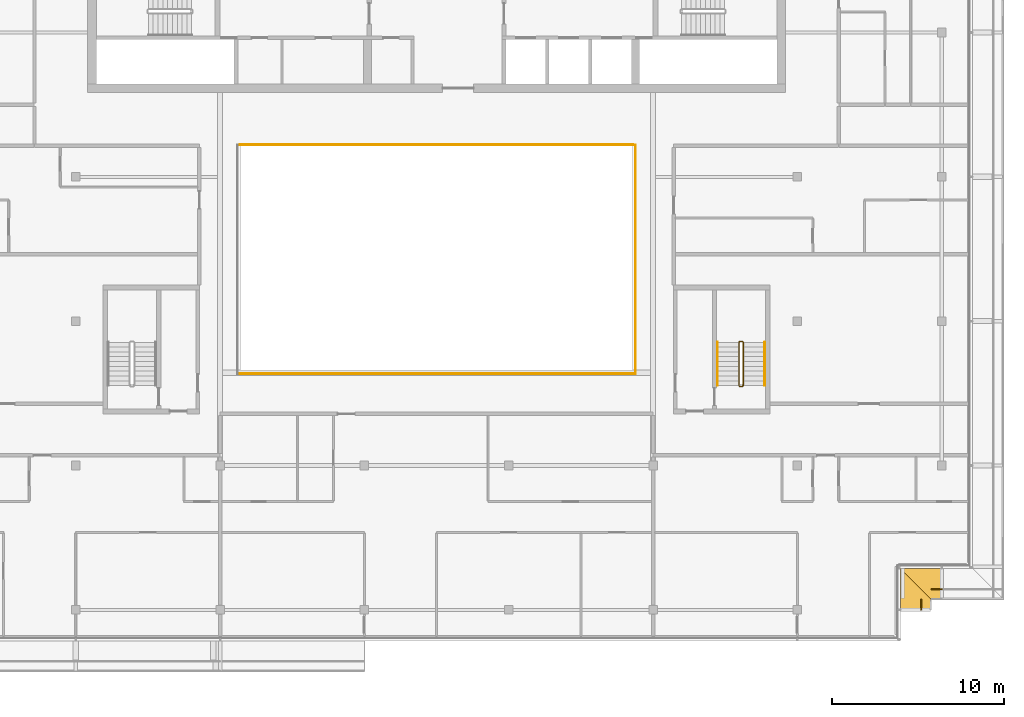
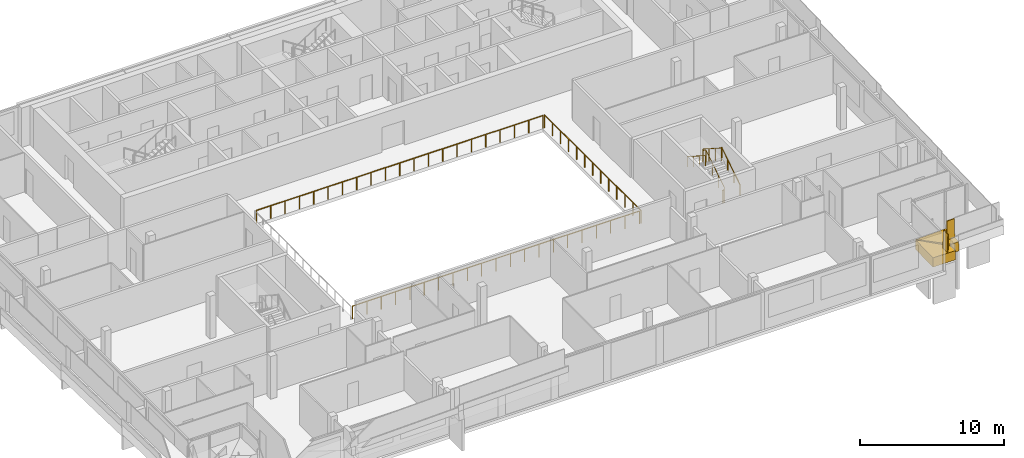
# One storey, part 23 of 27: 8 railings, 2 coverings.
"""IFC4 building model written with IfcOpenShell, lengths in metres."""

from ifc_helpers import new_model, si_unit, direction, frame, origin, origin_2d, place, context, subcontext, project, spatial, polyline, rectangle, circle, outline, extrude, material, layer, layer_set, type_object, element, save


model = new_model("IFC4")

# Units and contexts
model_context = context("Model", 3, precision=1e-05, world=origin(), true_north=direction((0.0, 1.0)))
body_context = subcontext(model_context, "Body", "Model", "MODEL_VIEW")
ifc_project = project(units=[si_unit("LENGTHUNIT", "METRE"), si_unit("AREAUNIT", "SQUARE_METRE"), si_unit("VOLUMEUNIT", "CUBIC_METRE"), si_unit("PLANEANGLEUNIT", "RADIAN"), si_unit("MASSUNIT", "GRAM", prefix="KILO")], contexts=[model_context])

# Site, building, storey
site_placement = place(None, origin())
site = spatial("IfcSite", under=ifc_project, at=site_placement, CompositionType="ELEMENT")
building_placement = place(site_placement, origin())
building = spatial("IfcBuilding", under=site, at=building_placement, Name="Saffron Gate Tower", CompositionType="ELEMENT")
storey_placement = place(building_placement, frame((0.0, 0.0, 274.35009765625)))
storey = spatial("IfcBuildingStorey", under=building, at=storey_placement, Name="L66", CompositionType="ELEMENT", Elevation=274.35009765625)

# Railings
ifc_material_1 = material(Name="Stainless steel and laminated glass", Category="steel")
railing_type_1 = type_object("IfcRailingType", Name="AG1 Atrium edge guard 1100", PredefinedType="GUARDRAIL", material=ifc_material_1)
railing_1_placement = place(storey_placement, frame((76.139892578125, 58.860107421875, 0.0)))
element("IfcRailing", 1, at=railing_1_placement, inside=storey, type_object=railing_type_1, Name="Guard E3-2", PredefinedType="GUARDRAIL", context=body_context, shape_type="SweptSolid", body=[
    extrude(circle(Radius=0.02392578125, at=origin_2d()), frame((0.0, 0.0, 1.076171875), z_axis=(1.0, 0.0, 0.0), x_axis=(0.0, 1.0, 0.0)), (0.0, 0.0, 1.0), 22.920166015625),
    extrude(circle(Radius=0.02099609375, at=origin_2d()), origin(), (0.0, 0.0, 1.0), 1.052001953125),
    extrude(circle(Radius=0.02099609375, at=origin_2d()), frame((1.14599609375, 0.0, 0.0)), (0.0, 0.0, 1.0), 1.052001953125),
    extrude(circle(Radius=0.02099609375, at=origin_2d()), frame((2.2919921875, 0.0, 0.0)), (0.0, 0.0, 1.0), 1.052001953125),
    extrude(circle(Radius=0.02099609375, at=origin_2d()), frame((3.43798828125, 0.0, 0.0)), (0.0, 0.0, 1.0), 1.052001953125),
    extrude(circle(Radius=0.02099609375, at=origin_2d()), frame((4.583984375, 0.0, 0.0)), (0.0, 0.0, 1.0), 1.052001953125),
    extrude(circle(Radius=0.02099609375, at=origin_2d()), frame((5.72998046875, 0.0, 0.0)), (0.0, 0.0, 1.0), 1.052001953125),
    extrude(circle(Radius=0.02099609375, at=origin_2d()), frame((6.8759765625, 0.0, 0.0)), (0.0, 0.0, 1.0), 1.052001953125),
    extrude(circle(Radius=0.02099609375, at=origin_2d()), frame((8.02197265625, 0.0, 0.0)), (0.0, 0.0, 1.0), 1.052001953125),
    extrude(circle(Radius=0.02099609375, at=origin_2d()), frame((9.16796875, 0.0, 0.0)), (0.0, 0.0, 1.0), 1.052001953125),
    extrude(circle(Radius=0.02099609375, at=origin_2d()), frame((10.31396484375, 0.0, 0.0)), (0.0, 0.0, 1.0), 1.052001953125),
    extrude(circle(Radius=0.02099609375, at=origin_2d()), frame((11.4599609375, 0.0, 0.0)), (0.0, 0.0, 1.0), 1.052001953125),
    extrude(circle(Radius=0.02099609375, at=origin_2d()), frame((12.606201171875, 0.0, 0.0)), (0.0, 0.0, 1.0), 1.052001953125),
    extrude(circle(Radius=0.02099609375, at=origin_2d()), frame((13.752197265625, 0.0, 0.0)), (0.0, 0.0, 1.0), 1.052001953125),
    extrude(circle(Radius=0.02099609375, at=origin_2d()), frame((14.898193359375, 0.0, 0.0)), (0.0, 0.0, 1.0), 1.052001953125),
    extrude(circle(Radius=0.02099609375, at=origin_2d()), frame((16.044189453125, 0.0, 0.0)), (0.0, 0.0, 1.0), 1.052001953125),
    extrude(circle(Radius=0.02099609375, at=origin_2d()), frame((17.190185546875, 0.0, 0.0)), (0.0, 0.0, 1.0), 1.052001953125),
    extrude(circle(Radius=0.02099609375, at=origin_2d()), frame((18.336181640625, 0.0, 0.0)), (0.0, 0.0, 1.0), 1.052001953125),
    extrude(circle(Radius=0.02099609375, at=origin_2d()), frame((19.482177734375, 0.0, 0.0)), (0.0, 0.0, 1.0), 1.052001953125),
    extrude(circle(Radius=0.02099609375, at=origin_2d()), frame((20.628173828125, 0.0, 0.0)), (0.0, 0.0, 1.0), 1.052001953125),
    extrude(circle(Radius=0.02099609375, at=origin_2d()), frame((21.774169921875, 0.0, 0.0)), (0.0, 0.0, 1.0), 1.052001953125),
    extrude(circle(Radius=0.02099609375, at=origin_2d()), frame((22.920166015625, 0.0, 0.0)), (0.0, 0.0, 1.0), 1.052001953125),
])
railing_2_placement = place(storey_placement, frame((99.179931640625, 58.860107421875, 0.0)))
element("IfcRailing", 2, at=railing_2_placement, inside=storey, type_object=railing_type_1, Name="Guard E3-3", PredefinedType="GUARDRAIL", context=body_context, shape_type="SweptSolid", body=[
    extrude(circle(Radius=0.02392578125, at=origin_2d()), frame((0.0, 0.0, 1.076171875), z_axis=(0.0, -1.0, 0.0), x_axis=(1.0, 0.0, 0.0)), (0.0, 0.0, 1.0), 13.320068359375),
    extrude(circle(Radius=0.02099609375, at=origin_2d()), origin(), (0.0, 0.0, 1.0), 1.052001953125),
    extrude(circle(Radius=0.02099609375, at=origin_2d()), frame((0.0, -1.110107421875, 0.0)), (0.0, 0.0, 1.0), 1.052001953125),
    extrude(circle(Radius=0.02099609375, at=origin_2d()), frame((0.0, -2.219970703125, 0.0)), (0.0, 0.0, 1.0), 1.052001953125),
    extrude(circle(Radius=0.02099609375, at=origin_2d()), frame((0.0, -3.330078125, 0.0)), (0.0, 0.0, 1.0), 1.052001953125),
    extrude(circle(Radius=0.02099609375, at=origin_2d()), frame((0.0, -4.43994140625, 0.0)), (0.0, 0.0, 1.0), 1.052001953125),
    extrude(circle(Radius=0.02099609375, at=origin_2d()), frame((0.0, -5.550048828125, 0.0)), (0.0, 0.0, 1.0), 1.052001953125),
    extrude(circle(Radius=0.02099609375, at=origin_2d()), frame((0.0, -6.66015625, 0.0)), (0.0, 0.0, 1.0), 1.052001953125),
    extrude(circle(Radius=0.02099609375, at=origin_2d()), frame((0.0, -7.77001953125, 0.0)), (0.0, 0.0, 1.0), 1.052001953125),
    extrude(circle(Radius=0.02099609375, at=origin_2d()), frame((0.0, -8.880126953125, 0.0)), (0.0, 0.0, 1.0), 1.052001953125),
    extrude(circle(Radius=0.02099609375, at=origin_2d()), frame((0.0, -9.989990234375, 0.0)), (0.0, 0.0, 1.0), 1.052001953125),
    extrude(circle(Radius=0.02099609375, at=origin_2d()), frame((0.0, -11.10009765625, 0.0)), (0.0, 0.0, 1.0), 1.052001953125),
    extrude(circle(Radius=0.02099609375, at=origin_2d()), frame((0.0, -12.2099609375, 0.0)), (0.0, 0.0, 1.0), 1.052001953125),
    extrude(circle(Radius=0.02099609375, at=origin_2d()), frame((0.0, -13.320068359375, 0.0)), (0.0, 0.0, 1.0), 1.052001953125),
])
railing_3_placement = place(storey_placement, frame((99.06005859375, 45.5400390625, 0.0)))
element("IfcRailing", 3, at=railing_3_placement, inside=storey, type_object=railing_type_1, Name="Guard E3-4", PredefinedType="GUARDRAIL", context=body_context, shape_type="SweptSolid", body=[
    extrude(circle(Radius=0.02392578125, at=origin_2d()), frame((0.0, 0.0, 1.076171875), z_axis=(-1.0, 0.0, 0.0), x_axis=(0.0, -1.0, 0.0)), (0.0, 0.0, 1.0), 22.920166015625),
    extrude(circle(Radius=0.02099609375, at=origin_2d()), origin(), (0.0, 0.0, 1.0), 1.052001953125),
    extrude(circle(Radius=0.02099609375, at=origin_2d()), frame((-1.14599609375, 0.0, 0.0)), (0.0, 0.0, 1.0), 1.052001953125),
    extrude(circle(Radius=0.02099609375, at=origin_2d()), frame((-2.2919921875, 0.0, 0.0)), (0.0, 0.0, 1.0), 1.052001953125),
    extrude(circle(Radius=0.02099609375, at=origin_2d()), frame((-3.43798828125, 0.0, 0.0)), (0.0, 0.0, 1.0), 1.052001953125),
    extrude(circle(Radius=0.02099609375, at=origin_2d()), frame((-4.583984375, 0.0, 0.0)), (0.0, 0.0, 1.0), 1.052001953125),
    extrude(circle(Radius=0.02099609375, at=origin_2d()), frame((-5.72998046875, 0.0, 0.0)), (0.0, 0.0, 1.0), 1.052001953125),
    extrude(circle(Radius=0.02099609375, at=origin_2d()), frame((-6.8759765625, 0.0, 0.0)), (0.0, 0.0, 1.0), 1.052001953125),
    extrude(circle(Radius=0.02099609375, at=origin_2d()), frame((-8.02197265625, 0.0, 0.0)), (0.0, 0.0, 1.0), 1.052001953125),
    extrude(circle(Radius=0.02099609375, at=origin_2d()), frame((-9.16796875, 0.0, 0.0)), (0.0, 0.0, 1.0), 1.052001953125),
    extrude(circle(Radius=0.02099609375, at=origin_2d()), frame((-10.31396484375, 0.0, 0.0)), (0.0, 0.0, 1.0), 1.052001953125),
    extrude(circle(Radius=0.02099609375, at=origin_2d()), frame((-11.4599609375, 0.0, 0.0)), (0.0, 0.0, 1.0), 1.052001953125),
    extrude(circle(Radius=0.02099609375, at=origin_2d()), frame((-12.606201171875, 0.0, 0.0)), (0.0, 0.0, 1.0), 1.052001953125),
    extrude(circle(Radius=0.02099609375, at=origin_2d()), frame((-13.752197265625, 0.0, 0.0)), (0.0, 0.0, 1.0), 1.052001953125),
    extrude(circle(Radius=0.02099609375, at=origin_2d()), frame((-14.898193359375, 0.0, 0.0)), (0.0, 0.0, 1.0), 1.052001953125),
    extrude(circle(Radius=0.02099609375, at=origin_2d()), frame((-16.044189453125, 0.0, 0.0)), (0.0, 0.0, 1.0), 1.052001953125),
    extrude(circle(Radius=0.02099609375, at=origin_2d()), frame((-17.190185546875, 0.0, 0.0)), (0.0, 0.0, 1.0), 1.052001953125),
    extrude(circle(Radius=0.02099609375, at=origin_2d()), frame((-18.336181640625, 0.0, 0.0)), (0.0, 0.0, 1.0), 1.052001953125),
    extrude(circle(Radius=0.02099609375, at=origin_2d()), frame((-19.482177734375, 0.0, 0.0)), (0.0, 0.0, 1.0), 1.052001953125),
    extrude(circle(Radius=0.02099609375, at=origin_2d()), frame((-20.628173828125, 0.0, 0.0)), (0.0, 0.0, 1.0), 1.052001953125),
    extrude(circle(Radius=0.02099609375, at=origin_2d()), frame((-21.774169921875, 0.0, 0.0)), (0.0, 0.0, 1.0), 1.052001953125),
    extrude(circle(Radius=0.02099609375, at=origin_2d()), frame((-22.920166015625, 0.0, 0.0)), (0.0, 0.0, 1.0), 1.052001953125),
])
railing_type_2 = type_object("IfcRailingType", Name="CR1 Stair guard 1100", PredefinedType="GUARDRAIL", material=ifc_material_1)
railing_4_placement = place(storey_placement, frame((105.25, 44.800048828125, 0.0)))
element("IfcRailing", 4, at=railing_4_placement, inside=storey, type_object=railing_type_2, Name="L66 ST-E stair guard 1", PredefinedType="GUARDRAIL", context=body_context, shape_type="SweptSolid", body=[
    extrude(circle(Radius=0.02392578125, at=origin_2d()), frame((0.0, 0.0, 1.076171875), z_axis=(1.0, 0.0, 0.0), x_axis=(0.0, 1.0, 0.0)), (0.0, 0.0, 1.0), 0.14990234375),
    extrude(circle(Radius=0.02392578125, at=origin_2d()), frame((0.14990234375, 0.0, 1.076171875), z_axis=(0.258847668887, 0.258847668887, 0.930588936439), x_axis=(-0.707106781187, 0.707106781187, 0.0)), (0.0, 0.0, 1.0), 0.193359375),
    extrude(circle(Radius=0.02392578125, at=origin_2d()), frame((0.199951171875, 0.050048828125, 1.255859375), z_axis=(0.0, 0.841199657755, 0.540724639528), x_axis=(-1.0, 0.0, 0.0)), (0.0, 0.0, 1.0), 2.995849609375),
    extrude(circle(Radius=0.02392578125, at=origin_2d()), frame((0.199951171875, 2.570068359375, 2.8759765625), z_axis=(-0.708833529934, 0.705375805398, 0.0), x_axis=(-0.705375805398, -0.708833529934, 0.0)), (0.0, 0.0, 1.0), 0.070556640625),
    extrude(circle(Radius=0.02392578125, at=origin_2d()), frame((0.14990234375, 2.619873046875, 2.8759765625), z_axis=(-1.0, 0.0, 0.0), x_axis=(0.0, -1.0, 0.0)), (0.0, 0.0, 1.0), 0.14990234375),
    extrude(circle(Radius=0.02392578125, at=origin_2d()), frame((0.0, 2.619873046875, 2.8759765625), z_axis=(-0.258627984543, -0.257366384619, 0.931060744355), x_axis=(0.705375805398, -0.708833529934, 0.0)), (0.0, 0.0, 1.0), 0.193603515625),
    extrude(circle(Radius=0.02392578125, at=origin_2d()), frame((-0.050048828125, 2.570068359375, 3.05615234375), z_axis=(0.0, -0.841199657755, 0.540724639528), x_axis=(1.0, 0.0, 0.0)), (0.0, 0.0, 1.0), 2.995849609375),
    extrude(circle(Radius=0.02099609375, at=origin_2d()), origin(), (0.0, 0.0, 1.0), 1.052001953125),
    extrude(circle(Radius=0.02099609375, at=origin_2d()), frame((0.14990234375, 0.0, 0.0)), (0.0, 0.0, 1.0), 1.052001953125),
    extrude(circle(Radius=0.02099609375, at=origin_2d()), frame((0.199951171875, 0.050048828125, 0.179931640625)), (0.0, 0.0, 1.0), 1.052001953125),
    extrude(circle(Radius=0.02099609375, at=origin_2d()), frame((0.199951171875, 0.89013671875, 0.719970703125)), (0.0, 0.0, 1.0), 1.052001953125),
    extrude(circle(Radius=0.02099609375, at=origin_2d()), frame((0.199951171875, 1.72998046875, 1.259765625)), (0.0, 0.0, 1.0), 1.052001953125),
    extrude(circle(Radius=0.02099609375, at=origin_2d()), frame((0.199951171875, 2.570068359375, 1.7998046875)), (0.0, 0.0, 1.0), 1.052001953125),
    extrude(circle(Radius=0.02099609375, at=origin_2d()), frame((0.14990234375, 2.619873046875, 1.7998046875)), (0.0, 0.0, 1.0), 1.052001953125),
    extrude(circle(Radius=0.02099609375, at=origin_2d()), frame((0.0, 2.619873046875, 1.7998046875)), (0.0, 0.0, 1.0), 1.052001953125),
    extrude(circle(Radius=0.02099609375, at=origin_2d()), frame((-0.050048828125, 2.570068359375, 1.97998046875)), (0.0, 0.0, 1.0), 1.052001953125),
    extrude(circle(Radius=0.02099609375, at=origin_2d()), frame((-0.050048828125, 1.72998046875, 2.52001953125)), (0.0, 0.0, 1.0), 1.052001953125),
    extrude(circle(Radius=0.02099609375, at=origin_2d()), frame((-0.050048828125, 0.89013671875, 3.059814453125)), (0.0, 0.0, 1.0), 1.052001953125),
    extrude(circle(Radius=0.02099609375, at=origin_2d()), frame((-0.050048828125, 0.050048828125, 3.599853515625)), (0.0, 0.0, 1.0), 1.052001953125),
])
ifc_material_2 = material(Name="Stainless steel", Category="steel")
railing_type_3 = type_object("IfcRailingType", Name="CR2 Stair handrail 900", PredefinedType="HANDRAIL", material=ifc_material_2)
railing_5_placement = place(storey_placement, frame((106.699951171875, 44.85009765625, 0.179931640625)))
element("IfcRailing", 5, at=railing_5_placement, inside=storey, type_object=railing_type_3, Name="L66 ST-E stair handrail 1", PredefinedType="HANDRAIL", context=body_context, shape_type="SweptSolid", body=[
    extrude(circle(Radius=0.02392578125, at=origin_2d()), frame((0.0, 0.0, 0.8759765625), z_axis=(0.0, 0.841199657755, 0.540724639528), x_axis=(-1.0, 0.0, 0.0)), (0.0, 0.0, 1.0), 2.995849609375),
    extrude(circle(Radius=0.02099609375, at=origin_2d()), origin(), (0.0, 0.0, 1.0), 0.851806640625),
    extrude(circle(Radius=0.02099609375, at=origin_2d()), frame((0.0, 0.840087890625, 0.5400390625)), (0.0, 0.0, 1.0), 0.851806640625),
    extrude(circle(Radius=0.02099609375, at=origin_2d()), frame((0.0, 1.679931640625, 1.079833984375)), (0.0, 0.0, 1.0), 0.851806640625),
    extrude(circle(Radius=0.02099609375, at=origin_2d()), frame((0.0, 2.52001953125, 1.619873046875)), (0.0, 0.0, 1.0), 0.851806640625),
])
railing_6_placement = place(storey_placement, frame((103.949951171875, 47.3701171875, 1.97998046875)))
element("IfcRailing", 6, at=railing_6_placement, inside=storey, type_object=railing_type_3, Name="L66 ST-E stair handrail 2", PredefinedType="HANDRAIL", context=body_context, shape_type="SweptSolid", body=[
    extrude(circle(Radius=0.02392578125, at=origin_2d()), frame((0.0, 0.0, 0.8759765625), z_axis=(0.0, -0.841199657755, 0.540724639528), x_axis=(1.0, 0.0, 0.0)), (0.0, 0.0, 1.0), 2.995849609375),
    extrude(circle(Radius=0.02099609375, at=origin_2d()), origin(), (0.0, 0.0, 1.0), 0.851806640625),
    extrude(circle(Radius=0.02099609375, at=origin_2d()), frame((0.0, -0.840087890625, 0.5400390625)), (0.0, 0.0, 1.0), 0.851806640625),
    extrude(circle(Radius=0.02099609375, at=origin_2d()), frame((0.0, -1.679931640625, 1.079833984375)), (0.0, 0.0, 1.0), 0.851806640625),
    extrude(circle(Radius=0.02099609375, at=origin_2d()), frame((0.0, -2.52001953125, 1.619873046875)), (0.0, 0.0, 1.0), 0.851806640625),
])

# Coverings
ifc_material_3 = material(Name="Timber, thermally modified ash", Category="wood")
ifc_layer = layer(ifc_material_3, 0.800048828125)
ifc_layer_set = layer_set([ifc_layer], Name="LD1 ledge timber")
covering_type = type_object("IfcCoveringType", Name="LD1 ledge timber", PredefinedType="CLADDING", material=ifc_layer_set)
covering_1_placement = place(storey_placement, frame((114.60009765625, 31.800048828125, 0.00146484375), z_axis=(-1.567025e-06, -0.028880273594, 0.999582877902), x_axis=(-2e-12, 0.999582877903, 0.028880273594)))
element("IfcCovering", 7, at=covering_1_placement, inside=storey, type_object=covering_type, Name="LEDGE", PredefinedType="CLADDING", context=body_context, shape_type="SweptSolid", body=[
    extrude(outline(polyline([(0.0, 0.0), (2.400903732297027, -1.3234889800848443e-23), (0.6001039136766684, -1.7998046875033142), (-3.3130496649195882e-12, -1.7998046874977902), (0.0, 0.0)])), origin(), (0.0, 0.0, -1.0), 0.800048828125),
])
covering_2_placement = place(storey_placement, frame((114.60009765625, 34.199951171875, 0.11767578125), z_axis=(-0.028877925272, 1.566685e-06, 0.999582945748), x_axis=(0.999582945749, -2e-12, 0.028877925272)))
element("IfcCovering", 8, at=covering_2_placement, inside=storey, type_object=covering_type, Name="LEDGE", PredefinedType="CLADDING", context=body_context, shape_type="SweptSolid", body=[
    extrude(outline(polyline([(0.0, 0.0), (2.400903732297027, -2.6469779601696886e-23), (2.4009037323003395, -1.8000488281227907), (1.8005557798235254, -1.8000488281283136), (0.0, 0.0)])), origin(), (0.0, 0.0, -1.0), 0.800048828125),
])

# Railings
railing_type_4 = type_object("IfcRailingType", Name="LG1 ledge balustrade", PredefinedType="BALUSTRADE", material=ifc_material_3)
railing_7_placement = place(storey_placement, frame((115.800048828125, 31.800048828125, 0.00146484375)))
element("IfcRailing", 9, at=railing_7_placement, inside=storey, type_object=railing_type_4, Name="LEDGE BALUSTRADE", PredefinedType="BALUSTRADE", context=body_context, shape_type="SweptSolid", body=[
    extrude(rectangle(XDim=0.06005859375, YDim=1.60009765625, at=origin_2d()), frame((0.0, 0.0, 0.800048828125), z_axis=(0.0, 0.999582742162, 0.028884971385), x_axis=(-1.0, 0.0, 0.0)), (0.0, 0.0, 1.0), 0.60009765625),
])
railing_8_placement = place(storey_placement, frame((116.39990234375, 33.0, 0.169677734375)))
element("IfcRailing", 10, at=railing_8_placement, inside=storey, type_object=railing_type_4, Name="LEDGE BALUSTRADE", PredefinedType="BALUSTRADE", context=body_context, shape_type="SweptSolid", body=[
    extrude(rectangle(XDim=0.06005859375, YDim=1.60009765625, at=origin_2d()), frame((0.0, 0.0, 0.800048828125), z_axis=(0.999583081391, 0.0, 0.028873229772), x_axis=(0.0, 1.0, 0.0)), (0.0, 0.0, 1.0), 0.600341796875),
])

save(model, "model.ifc")
